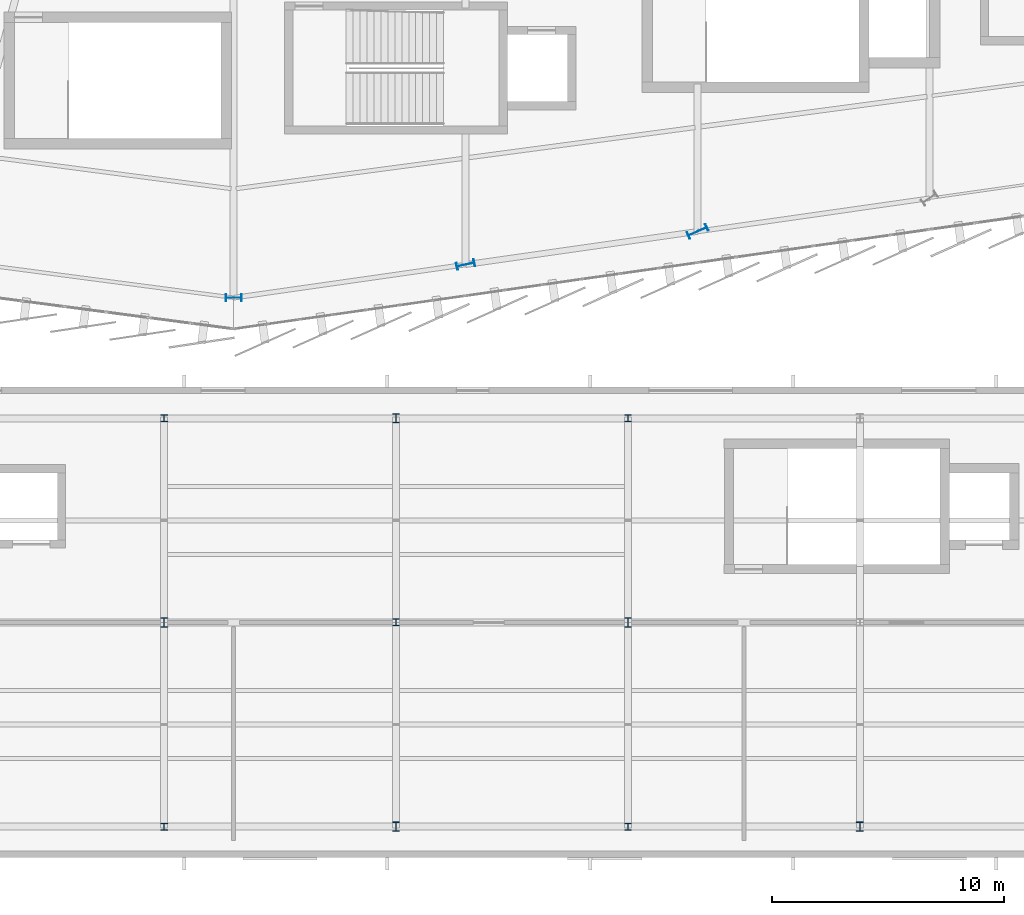
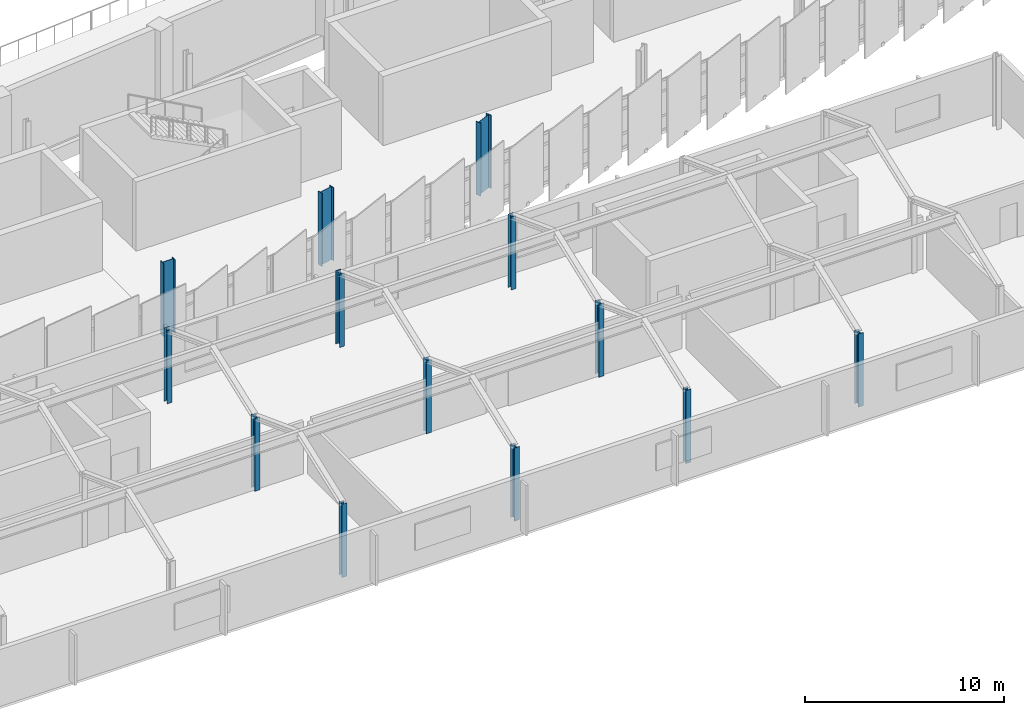
# One storey, part 4 of 87: 13 columns.
"""IFC4 building model written with IfcOpenShell, lengths in metres."""

from ifc_helpers import new_model, si_unit, direction, frame, origin, origin_2d, place, context, subcontext, project, spatial, i_section, extrude, material, material_profile, profile_set, type_object, element, save


model = new_model("IFC4")

# Units and contexts
model_context = context("Model", 3, precision=1e-05, world=origin(), true_north=direction((0.0, 1.0)))
body_context = subcontext(model_context, "Body", "Model", "MODEL_VIEW")
ifc_project = project(units=[si_unit("LENGTHUNIT", "METRE"), si_unit("AREAUNIT", "SQUARE_METRE"), si_unit("VOLUMEUNIT", "CUBIC_METRE"), si_unit("PLANEANGLEUNIT", "RADIAN"), si_unit("MASSUNIT", "GRAM", prefix="KILO")], contexts=[model_context])

# Site, building, storey
site_placement = place(None, origin())
site = spatial("IfcSite", under=ifc_project, at=site_placement, CompositionType="ELEMENT")
building_placement = place(site_placement, origin())
building = spatial("IfcBuilding", under=site, at=building_placement, Name="Sohan Crest Arena", CompositionType="ELEMENT")
storey_placement = place(building_placement, frame((0.0, 0.0, 18.0)))
storey = spatial("IfcBuildingStorey", under=building, at=storey_placement, Name="L04", CompositionType="ELEMENT", Elevation=18.0)

# Columns
ifc_material = material(Name="Steel S355", Category="steel")
ifc_material_profile_1 = material_profile(ifc_material, i_section(OverallWidth=0.300048828125, OverallDepth=0.300048828125, WebThickness=0.010986328125, FlangeThickness=0.01904296875, at=origin_2d()), Name="HEB 300")
ifc_profile_set_1 = profile_set([ifc_material_profile_1], Name="Steel S355")
column_type_1 = type_object("IfcColumnType", Name="STR-COL-C17", PredefinedType="COLUMN", material=ifc_profile_set_1)
for number, where, z_axis, x_axis, name in (
    (1, (95.0, 7.199951171875, 0.0), (0.0, 0.0, 1.0), (1.0, 0.0, 0.0), "Structural column COL-V5C-03-1-L04"),
    (2, (95.0, 24.800048828125, 0.0), (0.0, 0.0, 1.0), (1.0, 0.0, 0.0), "Structural column COL-V5C-03-3-L04"),
    (3, (105.0, 16.0, 0.0), (0.0, 0.0, 1.0), (1.0, 0.0, 0.0), "Structural column COL-V5C-04-2-L04"),
    (4, (115.0, 7.199951171875, 0.0), (0.0, 0.0, 1.0), (1.0, 0.0, 0.0), "Structural column COL-V5C-05-1-L04"),
    (5, (115.0, 24.800048828125, 0.0), (0.0, 0.0, 1.0), (1.0, 0.0, 0.0), "Structural column COL-V5C-05-3-L04"),
):
    element("IfcColumn", number, at=place(storey_placement, frame(where, z_axis=z_axis, x_axis=x_axis)), inside=storey, type_object=column_type_1, Name=name, PredefinedType="COLUMN", context=body_context, shape_type="SweptSolid", body=[
        extrude(i_section(OverallWidth=0.300048828125, OverallDepth=0.300048828125, WebThickness=0.010986328125, FlangeThickness=0.01904296875, at=origin_2d()), origin(), (0.0, 0.0, 1.0), 4.5),
    ])
ifc_material_profile_2 = material_profile(ifc_material, i_section(OverallWidth=0.300048828125, OverallDepth=0.39990234375, WebThickness=0.013427734375, FlangeThickness=0.02392578125, at=origin_2d()), Name="HEB 400")
ifc_profile_set_2 = profile_set([ifc_material_profile_2], Name="Steel S355")
column_type_2 = type_object("IfcColumnType", Name="STR-COL-C18", PredefinedType="COLUMN", material=ifc_profile_set_2)
for number, where, z_axis, x_axis, name in (
    (6, (95.0, 16.0, 0.0), (0.0, 0.0, 1.0), (1.0, 0.0, 0.0), "Structural column COL-V5C-03-2-L04"),
    (7, (105.0, 7.199951171875, 0.0), (0.0, 0.0, 1.0), (1.0, 0.0, 0.0), "Structural column COL-V5C-04-1-L04"),
    (8, (105.0, 24.800048828125, 0.0), (0.0, 0.0, 1.0), (1.0, 0.0, 0.0), "Structural column COL-V5C-04-3-L04"),
    (9, (115.0, 16.0, 0.0), (0.0, 0.0, 1.0), (1.0, 0.0, 0.0), "Structural column COL-V5C-05-2-L04"),
    (10, (125.0, 7.199951171875, 0.0), (0.0, 0.0, 1.0), (1.0, 0.0, 0.0), "Structural column COL-V5C-06-1-L04"),
):
    element("IfcColumn", number, at=place(storey_placement, frame(where, z_axis=z_axis, x_axis=x_axis)), inside=storey, type_object=column_type_2, Name=name, PredefinedType="COLUMN", context=body_context, shape_type="SweptSolid", body=[
        extrude(i_section(OverallWidth=0.300048828125, OverallDepth=0.39990234375, WebThickness=0.013427734375, FlangeThickness=0.02392578125, at=origin_2d()), origin(), (0.0, 0.0, 1.0), 4.5),
    ])
ifc_material_profile_3 = material_profile(ifc_material, i_section(OverallWidth=0.300048828125, OverallDepth=0.699951171875, WebThickness=0.01708984375, FlangeThickness=0.031982421875, at=origin_2d()), Name="HEB 700")
ifc_profile_set_3 = profile_set([ifc_material_profile_3], Name="Steel S355")
column_type_3 = type_object("IfcColumnType", Name="STR-COL-C21", PredefinedType="COLUMN", material=ifc_profile_set_3)
column_1_placement = place(storey_placement, frame((98.0, 30.0, 0.0), z_axis=(0.0, 0.0, 1.0), x_axis=(0.0, 1.0, 0.0)))
element("IfcColumn", 11, at=column_1_placement, inside=storey, type_object=column_type_3, Name="Structural column COL-V2O-13-L04", PredefinedType="COLUMN", context=body_context, shape_type="SweptSolid", body=[
    extrude(i_section(OverallWidth=0.300048828125, OverallDepth=0.699951171875, WebThickness=0.01708984375, FlangeThickness=0.031982421875, at=origin_2d()), origin(), (0.0, 0.0, 1.0), 4.5),
])
ifc_material_profile_4 = material_profile(ifc_material, i_section(OverallWidth=0.300048828125, OverallDepth=0.800048828125, WebThickness=0.017578125, FlangeThickness=0.032958984375, at=origin_2d()), Name="HEB 800")
ifc_profile_set_4 = profile_set([ifc_material_profile_4], Name="Steel S355")
column_type_4 = type_object("IfcColumnType", Name="STR-COL-C22", PredefinedType="COLUMN", material=ifc_profile_set_4)
column_2_placement = place(storey_placement, frame((108.0, 31.428955078125, 0.0), z_axis=(0.0, 0.0, 1.0), x_axis=(-0.209618562904, 0.977783236759, 0.0)))
element("IfcColumn", 12, at=column_2_placement, inside=storey, type_object=column_type_4, Name="Structural column COL-V2O-14-L04", PredefinedType="COLUMN", context=body_context, shape_type="SweptSolid", body=[
    extrude(i_section(OverallWidth=0.300048828125, OverallDepth=0.800048828125, WebThickness=0.017578125, FlangeThickness=0.032958984375, at=origin_2d()), origin(), (0.0, 0.0, 1.0), 4.5),
])
ifc_material_profile_5 = material_profile(ifc_material, i_section(OverallWidth=0.300048828125, OverallDepth=0.89990234375, WebThickness=0.0185546875, FlangeThickness=0.034912109375, at=origin_2d()), Name="HEB 900")
ifc_profile_set_5 = profile_set([ifc_material_profile_5], Name="Steel S355")
column_type_5 = type_object("IfcColumnType", Name="STR-COL-C23", PredefinedType="COLUMN", material=ifc_profile_set_5)
column_3_placement = place(storey_placement, frame((118.0, 32.85693359375, 0.0), z_axis=(0.0, 0.0, 1.0), x_axis=(-0.40514158678, 0.914253955234, 0.0)))
element("IfcColumn", 13, at=column_3_placement, inside=storey, type_object=column_type_5, Name="Structural column COL-V2O-15-L04", PredefinedType="COLUMN", context=body_context, shape_type="SweptSolid", body=[
    extrude(i_section(OverallWidth=0.300048828125, OverallDepth=0.89990234375, WebThickness=0.0185546875, FlangeThickness=0.034912109375, at=origin_2d()), origin(), (0.0, 0.0, 1.0), 4.5),
])

save(model, "model.ifc")
